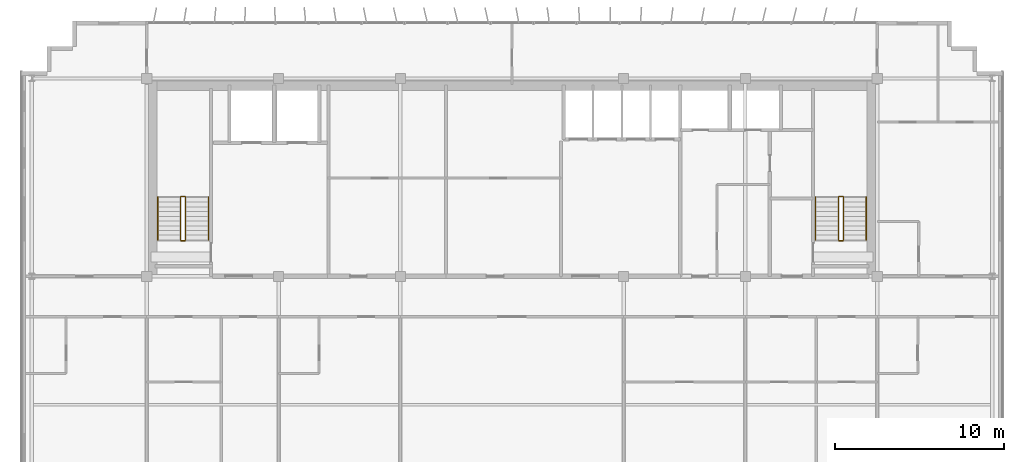
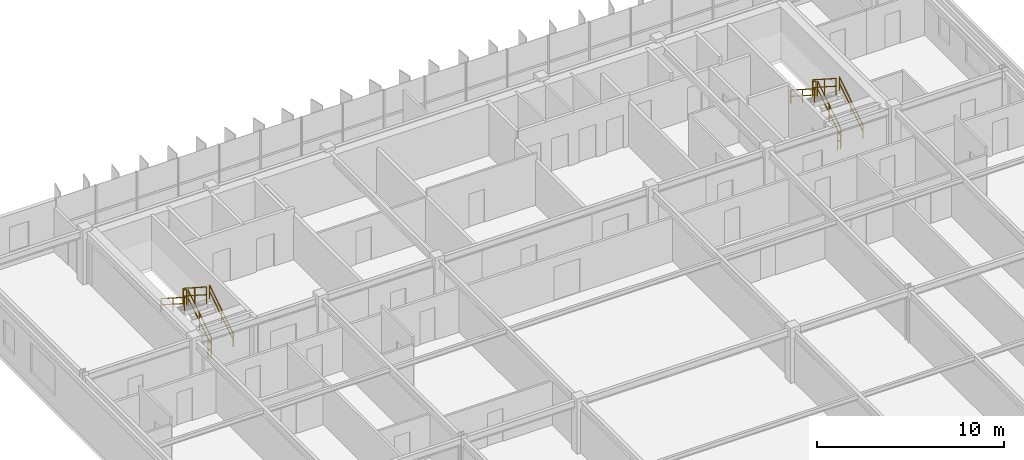
# One storey, part 22 of 22: 12 railings.
"""IFC4 building model written with IfcOpenShell, lengths in metres."""

import ifcopenshell
import ifcopenshell.guid

model = None  # the IFC model being written
_history = None  # IfcOwnerHistory: only IFC2X3 demands one
_inside = {}  # id of a spatial element -> (the spatial element, [elements in it])
_under = {}  # id of a project, library or spatial element -> (it, [spatial elements below it])
_declared = {}  # id of a project -> (the project, [libraries it declares])
_typed = {}  # id of a type object -> (the type object, [elements of that type])
_made_of = {}  # id of a material, layer set ... -> (it, [elements and type objects made of it])


def new_model(schema):
    """Start an empty IFC model of exactly this schema.

    Asked for "IFC4X3", IfcOpenShell would pick the latest addendum, in which some entities
    have other attributes; the version numbers below select the first issue.
    IFC2X3 requires an IfcOwnerHistory on every rooted entity: one is made here for all.
    """
    global model, _history
    if schema == "IFC4X3":
        model = ifcopenshell.file(schema_version=(4, 3, 0, 0))
    else:
        model = ifcopenshell.file(schema=schema)
    _inside.clear()
    _under.clear()
    _declared.clear()
    _typed.clear()
    _made_of.clear()
    _history = None
    if model.schema == "IFC2X3":
        org = make("IfcOrganization", Name="unknown")
        user = make(
            "IfcPersonAndOrganization",
            ThePerson=make("IfcPerson", FamilyName="unknown"),
            TheOrganization=org,
        )
        app = make(
            "IfcApplication",
            ApplicationDeveloper=org,
            Version="unknown",
            ApplicationFullName="unknown",
            ApplicationIdentifier="unknown",
        )
        _history = make(
            "IfcOwnerHistory",
            OwningUser=user,
            OwningApplication=app,
            ChangeAction="ADDED",
            CreationDate=0,
        )
    return model


def make(cls, **values):
    """One entity of the class cls with the attributes given. An attribute that is None is left unset."""
    return model.create_entity(
        cls, **{name: value for name, value in values.items() if value is not None}
    )


def rooted(cls, **values):
    """An entity with a GlobalId (a new one), such as an element, a storey or a relation."""
    return make(cls, GlobalId=ifcopenshell.guid.new(), OwnerHistory=_history, **values)


def si_unit(unit_type, name, prefix=None):
    """IfcSIUnit, for example si_unit("LENGTHUNIT", "METRE", prefix="MILLI")."""
    return make("IfcSIUnit", UnitType=unit_type, Prefix=prefix, Name=name)


def assignment(units):
    """IfcUnitAssignment: the units of a project."""
    return None if units is None else make("IfcUnitAssignment", Units=units)


def point(xyz):
    """IfcCartesianPoint."""
    return None if xyz is None else make("IfcCartesianPoint", Coordinates=xyz)


def direction(xyz):
    """IfcDirection."""
    return None if xyz is None else make("IfcDirection", DirectionRatios=xyz)


def frame(location, z_axis=None, x_axis=None):
    """IfcAxis2Placement3D, a coordinate frame: its origin and axes. An axis left out is left unset."""
    return make(
        "IfcAxis2Placement3D",
        Location=point(location),
        Axis=direction(z_axis),
        RefDirection=direction(x_axis),
    )


def frame_2d(location, x_axis=None):
    """IfcAxis2Placement2D, a coordinate frame in the plane: its origin and x axis."""
    return make(
        "IfcAxis2Placement2D", Location=point(location), RefDirection=direction(x_axis)
    )


def origin():
    """The frame at (0, 0, 0) with its axes left unset."""
    return frame((0.0, 0.0, 0.0))


def origin_2d():
    """The frame at (0, 0) in the plane with its x axis left unset."""
    return frame_2d((0.0, 0.0))


def place(relative_to, where):
    """IfcLocalPlacement: puts the frame where relative to a parent placement (None: the world)."""
    return make(
        "IfcLocalPlacement", PlacementRelTo=relative_to, RelativePlacement=where
    )


def context(
    kind, dimensions, precision=None, world=None, true_north=None, identifier=None
):
    """IfcGeometricRepresentationContext, for example the 3D "Model" context."""
    return make(
        "IfcGeometricRepresentationContext",
        ContextIdentifier=identifier,
        ContextType=kind,
        CoordinateSpaceDimension=dimensions,
        Precision=precision,
        WorldCoordinateSystem=world,
        TrueNorth=true_north,
    )


def subcontext(parent, identifier, kind, view, scale=None):
    """IfcGeometricRepresentationSubContext, for example "Body" below "Model"."""
    return make(
        "IfcGeometricRepresentationSubContext",
        ContextIdentifier=identifier,
        ContextType=kind,
        ParentContext=parent,
        TargetScale=scale,
        TargetView=view,
    )


def project(units=None, contexts=None):
    """IfcProject with its units and contexts."""
    return rooted(
        "IfcProject",
        Name="project",
        RepresentationContexts=contexts,
        UnitsInContext=assignment(units),
    )


def spatial(cls, under=None, at=None, **own):
    """A site, building, storey or space (cls), placed at a placement, below another one or the project."""
    s = rooted(cls, ObjectPlacement=at, **own)
    if under is not None:
        _under.setdefault(under.id(), (under, []))[1].append(s)
    return s


def profile(cls, at=None, kind="AREA", **sizes):
    """A parametric profile (cls). Its sizes go by their IFC names, for example OverallWidth=200.0."""
    return make(cls, ProfileType=kind, Position=at, **sizes)


def rectangle(**sizes):
    """IfcRectangleProfileDef."""
    return profile("IfcRectangleProfileDef", **sizes)


def extrude(swept, where, along, depth):
    """IfcExtrudedAreaSolid: the profile swept, set in the frame where, extruded along a direction by depth."""
    return make(
        "IfcExtrudedAreaSolid",
        SweptArea=swept,
        Position=where,
        ExtrudedDirection=direction(along),
        Depth=depth,
    )


def shape(context_of_items, identifier, shape_type, items):
    """IfcShapeRepresentation: the items that make up one representation, for example the "Body"."""
    return make(
        "IfcShapeRepresentation",
        ContextOfItems=context_of_items,
        RepresentationIdentifier=identifier,
        RepresentationType=shape_type,
        Items=items,
    )


def material(Name=None, Category=None):
    """IfcMaterial."""
    return make("IfcMaterial", Name=Name, Category=Category)


def made_of(thing, what):
    """Note that an element or type object is made of a material, layer set ...; save() writes the relation."""
    if what is not None:
        _made_of.setdefault(what.id(), (what, []))[1].append(thing)
    return thing


def type_object(cls, material=None, **own):
    """A type object (cls), such as IfcWallType, which elements share."""
    return made_of(rooted(cls, **own), material)


def element(
    cls,
    number,
    at=None,
    inside=None,
    cuts=None,
    type_object=None,
    material=None,
    context=None,
    identifier="Body",
    shape_type=None,
    held_by="IfcProductDefinitionShape",
    body=None,
    shapes=None,
    **own,
):
    """One element of the class cls, such as IfcWall. Its Tag is "e" and its number.

    at: its placement. inside: the storey or other place that contains it. cuts: it is an
    opening in that element (IfcRelVoidsElement). A single representation is given by context,
    identifier, shape_type and body (its items); several are given by shapes. held_by: the class
    of the entity that holds the representations. save() writes the other relations.
    """
    e = rooted(cls, Tag="e%d" % number, ObjectPlacement=at, **own)
    if body is not None:
        shapes = [shape(context, identifier, shape_type, body)]
    if shapes is not None:
        e.Representation = make(held_by, Representations=shapes)
    if inside is not None:
        _inside.setdefault(inside.id(), (inside, []))[1].append(e)
    if cuts is not None:
        rooted(
            "IfcRelVoidsElement", RelatingBuildingElement=cuts, RelatedOpeningElement=e
        )
    if type_object is not None:
        _typed.setdefault(type_object.id(), (type_object, []))[1].append(e)
    return made_of(e, material)


def aggregate(whole, parts):
    """IfcRelAggregates: a whole, such as a stair, and the parts it consists of."""
    return rooted("IfcRelAggregates", RelatingObject=whole, RelatedObjects=parts)


def save(model, path):
    """Write the relations noted so far, then the file.

    IfcRelAggregates (storeys below a building ...), IfcRelContainedInSpatialStructure (elements
    in a storey), IfcRelDefinesByType, IfcRelAssociatesMaterial and IfcRelDeclares: one each for
    every whole, place, type object, material and project.
    """
    for whole, parts in _under.values():
        aggregate(whole, parts)
    for where, things in _inside.values():
        rooted(
            "IfcRelContainedInSpatialStructure",
            RelatedElements=things,
            RelatingStructure=where,
        )
    for kind, things in _typed.values():
        rooted("IfcRelDefinesByType", RelatedObjects=things, RelatingType=kind)
    for what, things in _made_of.values():
        rooted("IfcRelAssociatesMaterial", RelatedObjects=things, RelatingMaterial=what)
    for by, libraries in _declared.values():
        rooted("IfcRelDeclares", RelatingContext=by, RelatedDefinitions=libraries)
    model.write(path)


model = new_model("IFC4")

# Units and contexts
model_context = context("Model", 3, precision=1e-05, world=origin(), true_north=direction((0.0, 1.0)))
body_context = subcontext(model_context, "Body", "Model", "MODEL_VIEW")
ifc_project = project(units=[si_unit("LENGTHUNIT", "METRE"), si_unit("AREAUNIT", "SQUARE_METRE"), si_unit("VOLUMEUNIT", "CUBIC_METRE"), si_unit("PLANEANGLEUNIT", "RADIAN"), si_unit("MASSUNIT", "GRAM", prefix="KILO")], contexts=[model_context])

# Site, building, storey
site_placement = place(None, origin())
site = spatial("IfcSite", under=ifc_project, at=site_placement, CompositionType="ELEMENT")
building_placement = place(site_placement, origin())
building = spatial("IfcBuilding", under=site, at=building_placement, Name="Trelvane Seafront Commons", CompositionType="ELEMENT")
storey_placement = place(building_placement, frame((0.0, 0.0, 277.5)))
storey = spatial("IfcBuildingStorey", under=building, at=storey_placement, Name="L72", CompositionType="ELEMENT", Elevation=277.5)

# Railings
ifc_material = material(Name="Stainless steel balustrade", Category="steel")
railing_type_1 = type_object("IfcRailingType", Name="ARCH-SRL-GUARD", PredefinedType="GUARDRAIL", material=ifc_material)
railing_1_placement = place(storey_placement, frame((17.89990234375, 35.550048828125, 0.179931640625)))
element("IfcRailing", 1, at=railing_1_placement, inside=storey, type_object=railing_type_1, Name="L72 ST-1 stair guard 1", PredefinedType="GUARDRAIL", context=body_context, shape_type="SweptSolid", body=[
    extrude(rectangle(XDim=0.048095703125, YDim=0.048095703125, at=origin_2d()), frame((0.0, 0.0, 1.076171875), z_axis=(0.0, 0.841162588446, 0.540782303519), x_axis=(-1.0, 0.0, 0.0)), (0.0, 0.0, 1.0), 2.995849609375),
    extrude(rectangle(XDim=0.048095703125, YDim=0.048095703125, at=origin_2d()), frame((0.0, 0.0, 0.572021484375), z_axis=(0.0, 0.841162588446, 0.540782303519), x_axis=(-1.0, 0.0, 0.0)), (0.0, 0.0, 1.0), 2.995849609375),
    extrude(rectangle(XDim=0.0419921875, YDim=0.0419921875, at=origin_2d()), origin(), (0.0, 0.0, 1.0), 1.076171875),
    extrude(rectangle(XDim=0.0419921875, YDim=0.0419921875, at=origin_2d()), frame((0.0, 1.260009765625, 0.81005859375)), (0.0, 0.0, 1.0), 1.076171875),
    extrude(rectangle(XDim=0.0419921875, YDim=0.0419921875, at=origin_2d()), frame((0.0, 2.52001953125, 1.6201171875)), (0.0, 0.0, 1.0), 1.076171875),
])
railing_2_placement = place(storey_placement, frame((17.85009765625, 38.1201171875, 1.800048828125)))
element("IfcRailing", 2, at=railing_2_placement, inside=storey, type_object=railing_type_1, Name="L72 ST-1 stair guard 2", PredefinedType="GUARDRAIL", context=body_context, shape_type="SweptSolid", body=[
    extrude(rectangle(XDim=0.048095703125, YDim=0.048095703125, at=origin_2d()), frame((0.0, 0.0, 1.076171875), z_axis=(-1.0, 0.0, 0.0), x_axis=(0.0, -1.0, 0.0)), (0.0, 0.0, 1.0), 0.2001953125),
    extrude(rectangle(XDim=0.048095703125, YDim=0.048095703125, at=origin_2d()), frame((0.0, 0.0, 0.572021484375), z_axis=(-1.0, 0.0, 0.0), x_axis=(0.0, -1.0, 0.0)), (0.0, 0.0, 1.0), 0.2001953125),
    extrude(rectangle(XDim=0.0419921875, YDim=0.0419921875, at=origin_2d()), origin(), (0.0, 0.0, 1.0), 1.076171875),
    extrude(rectangle(XDim=0.0419921875, YDim=0.0419921875, at=origin_2d()), frame((-0.2001953125, 0.0, 0.0)), (0.0, 0.0, 1.0), 1.076171875),
])
railing_3_placement = place(storey_placement, frame((17.60009765625, 38.070068359375, 1.97998046875)))
element("IfcRailing", 3, at=railing_3_placement, inside=storey, type_object=railing_type_1, Name="L72 ST-1 stair guard 3", PredefinedType="GUARDRAIL", context=body_context, shape_type="SweptSolid", body=[
    extrude(rectangle(XDim=0.048095703125, YDim=0.048095703125, at=origin_2d()), frame((0.0, 0.0, 1.076171875), z_axis=(0.0, -0.841162588446, 0.540782303519), x_axis=(1.0, 0.0, 0.0)), (0.0, 0.0, 1.0), 2.995849609375),
    extrude(rectangle(XDim=0.048095703125, YDim=0.048095703125, at=origin_2d()), frame((0.0, 0.0, 0.572021484375), z_axis=(0.0, -0.841162588446, 0.540782303519), x_axis=(1.0, 0.0, 0.0)), (0.0, 0.0, 1.0), 2.995849609375),
    extrude(rectangle(XDim=0.0419921875, YDim=0.0419921875, at=origin_2d()), origin(), (0.0, 0.0, 1.0), 1.076171875),
    extrude(rectangle(XDim=0.0419921875, YDim=0.0419921875, at=origin_2d()), frame((0.0, -1.260009765625, 0.81005859375)), (0.0, 0.0, 1.0), 1.076171875),
    extrude(rectangle(XDim=0.0419921875, YDim=0.0419921875, at=origin_2d()), frame((0.0, -2.52001953125, 1.6201171875)), (0.0, 0.0, 1.0), 1.076171875),
])
railing_4_placement = place(storey_placement, frame((17.85009765625, 35.5, 0.0)))
element("IfcRailing", 4, at=railing_4_placement, inside=storey, type_object=railing_type_1, Name="L72 ST-1 stair guard 4", PredefinedType="GUARDRAIL", context=body_context, shape_type="SweptSolid", body=[
    extrude(rectangle(XDim=0.048095703125, YDim=0.048095703125, at=origin_2d()), frame((0.0, 0.0, 1.076171875), z_axis=(-1.0, 0.0, 0.0), x_axis=(0.0, -1.0, 0.0)), (0.0, 0.0, 1.0), 0.2001953125),
    extrude(rectangle(XDim=0.048095703125, YDim=0.048095703125, at=origin_2d()), frame((0.0, 0.0, 0.572021484375), z_axis=(-1.0, 0.0, 0.0), x_axis=(0.0, -1.0, 0.0)), (0.0, 0.0, 1.0), 0.2001953125),
    extrude(rectangle(XDim=0.0419921875, YDim=0.0419921875, at=origin_2d()), origin(), (0.0, 0.0, 1.0), 1.076171875),
    extrude(rectangle(XDim=0.0419921875, YDim=0.0419921875, at=origin_2d()), frame((-0.2001953125, 0.0, 0.0)), (0.0, 0.0, 1.0), 1.076171875),
])
railing_5_placement = place(storey_placement, frame((56.800048828125, 35.550048828125, 0.179931640625)))
element("IfcRailing", 5, at=railing_5_placement, inside=storey, type_object=railing_type_1, Name="L72 ST-2 stair guard 1", PredefinedType="GUARDRAIL", context=body_context, shape_type="SweptSolid", body=[
    extrude(rectangle(XDim=0.048095703125, YDim=0.048095703125, at=origin_2d()), frame((0.0, 0.0, 1.076171875), z_axis=(0.0, 0.841162588446, 0.540782303519), x_axis=(-1.0, 0.0, 0.0)), (0.0, 0.0, 1.0), 2.995849609375),
    extrude(rectangle(XDim=0.048095703125, YDim=0.048095703125, at=origin_2d()), frame((0.0, 0.0, 0.572021484375), z_axis=(0.0, 0.841162588446, 0.540782303519), x_axis=(-1.0, 0.0, 0.0)), (0.0, 0.0, 1.0), 2.995849609375),
    extrude(rectangle(XDim=0.0419921875, YDim=0.0419921875, at=origin_2d()), origin(), (0.0, 0.0, 1.0), 1.076171875),
    extrude(rectangle(XDim=0.0419921875, YDim=0.0419921875, at=origin_2d()), frame((0.0, 1.260009765625, 0.81005859375)), (0.0, 0.0, 1.0), 1.076171875),
    extrude(rectangle(XDim=0.0419921875, YDim=0.0419921875, at=origin_2d()), frame((0.0, 2.52001953125, 1.6201171875)), (0.0, 0.0, 1.0), 1.076171875),
])
railing_6_placement = place(storey_placement, frame((56.75, 38.1201171875, 1.800048828125)))
element("IfcRailing", 6, at=railing_6_placement, inside=storey, type_object=railing_type_1, Name="L72 ST-2 stair guard 2", PredefinedType="GUARDRAIL", context=body_context, shape_type="SweptSolid", body=[
    extrude(rectangle(XDim=0.048095703125, YDim=0.048095703125, at=origin_2d()), frame((0.0, 0.0, 1.076171875), z_axis=(-1.0, 0.0, 0.0), x_axis=(0.0, -1.0, 0.0)), (0.0, 0.0, 1.0), 0.199951171875),
    extrude(rectangle(XDim=0.048095703125, YDim=0.048095703125, at=origin_2d()), frame((0.0, 0.0, 0.572021484375), z_axis=(-1.0, 0.0, 0.0), x_axis=(0.0, -1.0, 0.0)), (0.0, 0.0, 1.0), 0.199951171875),
    extrude(rectangle(XDim=0.0419921875, YDim=0.0419921875, at=origin_2d()), origin(), (0.0, 0.0, 1.0), 1.076171875),
    extrude(rectangle(XDim=0.0419921875, YDim=0.0419921875, at=origin_2d()), frame((-0.199951171875, 0.0, 0.0)), (0.0, 0.0, 1.0), 1.076171875),
])
railing_7_placement = place(storey_placement, frame((56.5, 38.070068359375, 1.97998046875)))
element("IfcRailing", 7, at=railing_7_placement, inside=storey, type_object=railing_type_1, Name="L72 ST-2 stair guard 3", PredefinedType="GUARDRAIL", context=body_context, shape_type="SweptSolid", body=[
    extrude(rectangle(XDim=0.048095703125, YDim=0.048095703125, at=origin_2d()), frame((0.0, 0.0, 1.076171875), z_axis=(0.0, -0.841162588446, 0.540782303519), x_axis=(1.0, 0.0, 0.0)), (0.0, 0.0, 1.0), 2.995849609375),
    extrude(rectangle(XDim=0.048095703125, YDim=0.048095703125, at=origin_2d()), frame((0.0, 0.0, 0.572021484375), z_axis=(0.0, -0.841162588446, 0.540782303519), x_axis=(1.0, 0.0, 0.0)), (0.0, 0.0, 1.0), 2.995849609375),
    extrude(rectangle(XDim=0.0419921875, YDim=0.0419921875, at=origin_2d()), origin(), (0.0, 0.0, 1.0), 1.076171875),
    extrude(rectangle(XDim=0.0419921875, YDim=0.0419921875, at=origin_2d()), frame((0.0, -1.260009765625, 0.81005859375)), (0.0, 0.0, 1.0), 1.076171875),
    extrude(rectangle(XDim=0.0419921875, YDim=0.0419921875, at=origin_2d()), frame((0.0, -2.52001953125, 1.6201171875)), (0.0, 0.0, 1.0), 1.076171875),
])
railing_8_placement = place(storey_placement, frame((56.75, 35.5, 0.0)))
element("IfcRailing", 8, at=railing_8_placement, inside=storey, type_object=railing_type_1, Name="L72 ST-2 stair guard 4", PredefinedType="GUARDRAIL", context=body_context, shape_type="SweptSolid", body=[
    extrude(rectangle(XDim=0.048095703125, YDim=0.048095703125, at=origin_2d()), frame((0.0, 0.0, 1.076171875), z_axis=(-1.0, 0.0, 0.0), x_axis=(0.0, -1.0, 0.0)), (0.0, 0.0, 1.0), 0.199951171875),
    extrude(rectangle(XDim=0.048095703125, YDim=0.048095703125, at=origin_2d()), frame((0.0, 0.0, 0.572021484375), z_axis=(-1.0, 0.0, 0.0), x_axis=(0.0, -1.0, 0.0)), (0.0, 0.0, 1.0), 0.199951171875),
    extrude(rectangle(XDim=0.0419921875, YDim=0.0419921875, at=origin_2d()), origin(), (0.0, 0.0, 1.0), 1.076171875),
    extrude(rectangle(XDim=0.0419921875, YDim=0.0419921875, at=origin_2d()), frame((-0.199951171875, 0.0, 0.0)), (0.0, 0.0, 1.0), 1.076171875),
])
railing_type_2 = type_object("IfcRailingType", Name="ARCH-SRL-HAND", PredefinedType="HANDRAIL", material=ifc_material)
railing_9_placement = place(storey_placement, frame((19.25, 35.550048828125, 0.179931640625)))
element("IfcRailing", 9, at=railing_9_placement, inside=storey, type_object=railing_type_2, Name="L72 ST-1 stair handrail 1", PredefinedType="HANDRAIL", context=body_context, shape_type="SweptSolid", body=[
    extrude(rectangle(XDim=0.048095703125, YDim=0.048095703125, at=origin_2d()), frame((0.0, 0.0, 0.8759765625), z_axis=(0.0, 0.841162588446, 0.540782303519), x_axis=(-1.0, 0.0, 0.0)), (0.0, 0.0, 1.0), 2.995849609375),
    extrude(rectangle(XDim=0.048095703125, YDim=0.048095703125, at=origin_2d()), frame((0.0, 0.0, 0.468017578125), z_axis=(0.0, 0.841162588446, 0.540782303519), x_axis=(-1.0, 0.0, 0.0)), (0.0, 0.0, 1.0), 2.995849609375),
    extrude(rectangle(XDim=0.0419921875, YDim=0.0419921875, at=origin_2d()), origin(), (0.0, 0.0, 1.0), 0.8759765625),
    extrude(rectangle(XDim=0.0419921875, YDim=0.0419921875, at=origin_2d()), frame((0.0, 1.260009765625, 0.81005859375)), (0.0, 0.0, 1.0), 0.8759765625),
    extrude(rectangle(XDim=0.0419921875, YDim=0.0419921875, at=origin_2d()), frame((0.0, 2.52001953125, 1.6201171875)), (0.0, 0.0, 1.0), 0.8759765625),
])
railing_10_placement = place(storey_placement, frame((16.25, 38.070068359375, 1.97998046875)))
element("IfcRailing", 10, at=railing_10_placement, inside=storey, type_object=railing_type_2, Name="L72 ST-1 stair handrail 2", PredefinedType="HANDRAIL", context=body_context, shape_type="SweptSolid", body=[
    extrude(rectangle(XDim=0.048095703125, YDim=0.048095703125, at=origin_2d()), frame((0.0, 0.0, 0.8759765625), z_axis=(0.0, -0.841162588446, 0.540782303519), x_axis=(1.0, 0.0, 0.0)), (0.0, 0.0, 1.0), 2.995849609375),
    extrude(rectangle(XDim=0.048095703125, YDim=0.048095703125, at=origin_2d()), frame((0.0, 0.0, 0.468017578125), z_axis=(0.0, -0.841162588446, 0.540782303519), x_axis=(1.0, 0.0, 0.0)), (0.0, 0.0, 1.0), 2.995849609375),
    extrude(rectangle(XDim=0.0419921875, YDim=0.0419921875, at=origin_2d()), origin(), (0.0, 0.0, 1.0), 0.8759765625),
    extrude(rectangle(XDim=0.0419921875, YDim=0.0419921875, at=origin_2d()), frame((0.0, -1.260009765625, 0.81005859375)), (0.0, 0.0, 1.0), 0.8759765625),
    extrude(rectangle(XDim=0.0419921875, YDim=0.0419921875, at=origin_2d()), frame((0.0, -2.52001953125, 1.6201171875)), (0.0, 0.0, 1.0), 0.8759765625),
])
railing_11_placement = place(storey_placement, frame((58.14990234375, 35.550048828125, 0.179931640625)))
element("IfcRailing", 11, at=railing_11_placement, inside=storey, type_object=railing_type_2, Name="L72 ST-2 stair handrail 1", PredefinedType="HANDRAIL", context=body_context, shape_type="SweptSolid", body=[
    extrude(rectangle(XDim=0.048095703125, YDim=0.048095703125, at=origin_2d()), frame((0.0, 0.0, 0.8759765625), z_axis=(0.0, 0.841162588446, 0.540782303519), x_axis=(-1.0, 0.0, 0.0)), (0.0, 0.0, 1.0), 2.995849609375),
    extrude(rectangle(XDim=0.048095703125, YDim=0.048095703125, at=origin_2d()), frame((0.0, 0.0, 0.468017578125), z_axis=(0.0, 0.841162588446, 0.540782303519), x_axis=(-1.0, 0.0, 0.0)), (0.0, 0.0, 1.0), 2.995849609375),
    extrude(rectangle(XDim=0.0419921875, YDim=0.0419921875, at=origin_2d()), origin(), (0.0, 0.0, 1.0), 0.8759765625),
    extrude(rectangle(XDim=0.0419921875, YDim=0.0419921875, at=origin_2d()), frame((0.0, 1.260009765625, 0.81005859375)), (0.0, 0.0, 1.0), 0.8759765625),
    extrude(rectangle(XDim=0.0419921875, YDim=0.0419921875, at=origin_2d()), frame((0.0, 2.52001953125, 1.6201171875)), (0.0, 0.0, 1.0), 0.8759765625),
])
railing_12_placement = place(storey_placement, frame((55.14990234375, 38.070068359375, 1.97998046875)))
element("IfcRailing", 12, at=railing_12_placement, inside=storey, type_object=railing_type_2, Name="L72 ST-2 stair handrail 2", PredefinedType="HANDRAIL", context=body_context, shape_type="SweptSolid", body=[
    extrude(rectangle(XDim=0.048095703125, YDim=0.048095703125, at=origin_2d()), frame((0.0, 0.0, 0.8759765625), z_axis=(0.0, -0.841162588446, 0.540782303519), x_axis=(1.0, 0.0, 0.0)), (0.0, 0.0, 1.0), 2.995849609375),
    extrude(rectangle(XDim=0.048095703125, YDim=0.048095703125, at=origin_2d()), frame((0.0, 0.0, 0.468017578125), z_axis=(0.0, -0.841162588446, 0.540782303519), x_axis=(1.0, 0.0, 0.0)), (0.0, 0.0, 1.0), 2.995849609375),
    extrude(rectangle(XDim=0.0419921875, YDim=0.0419921875, at=origin_2d()), origin(), (0.0, 0.0, 1.0), 0.8759765625),
    extrude(rectangle(XDim=0.0419921875, YDim=0.0419921875, at=origin_2d()), frame((0.0, -1.260009765625, 0.81005859375)), (0.0, 0.0, 1.0), 0.8759765625),
    extrude(rectangle(XDim=0.0419921875, YDim=0.0419921875, at=origin_2d()), frame((0.0, -2.52001953125, 1.6201171875)), (0.0, 0.0, 1.0), 0.8759765625),
])

save(model, "model.ifc")
